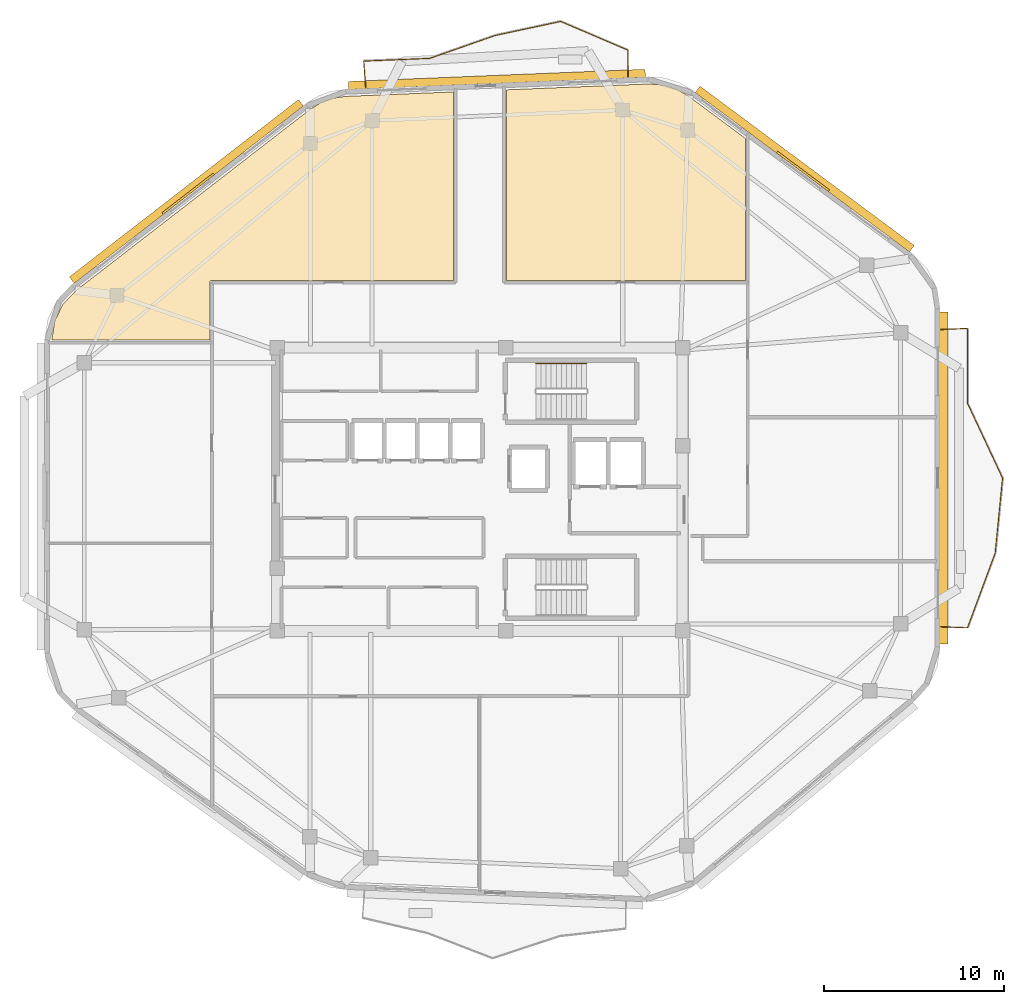
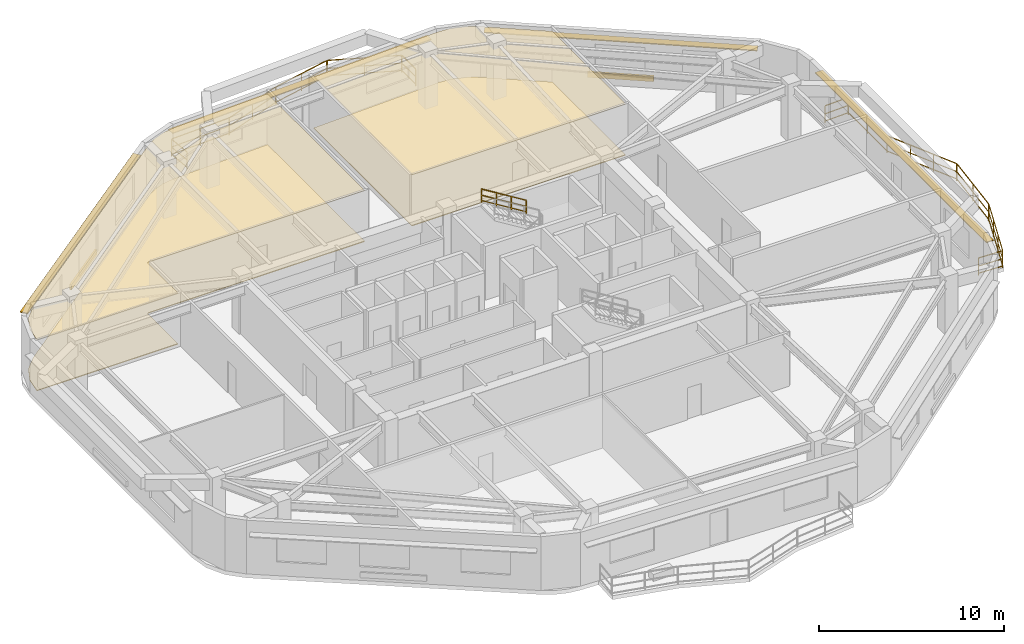
# One storey, part 8 of 8: 13 railings, 6 shading devices, 4 coverings.
"""IFC4 building model written with IfcOpenShell, lengths in metres."""

from ifc_helpers import new_model, si_unit, direction, frame, origin, origin_2d, place, context, subcontext, project, spatial, polyline, rectangle, outline, extrude, material, layer, layer_set, type_object, element, save


model = new_model("IFC4")

# Units and contexts
model_context = context("Model", 3, precision=1e-05, world=origin(), true_north=direction((0.0, 1.0)))
body_context = subcontext(model_context, "Body", "Model", "MODEL_VIEW")
ifc_project = project(units=[si_unit("LENGTHUNIT", "METRE"), si_unit("AREAUNIT", "SQUARE_METRE"), si_unit("VOLUMEUNIT", "CUBIC_METRE"), si_unit("PLANEANGLEUNIT", "RADIAN"), si_unit("MASSUNIT", "GRAM", prefix="KILO")], contexts=[model_context])

# Site, building, storey
site_placement = place(None, origin())
site = spatial("IfcSite", under=ifc_project, at=site_placement, CompositionType="ELEMENT")
building_placement = place(site_placement, origin())
building = spatial("IfcBuilding", under=site, at=building_placement, Name="Zulverin Broadcast Headquarters", CompositionType="ELEMENT")
storey_placement = place(building_placement, frame((0.0, 0.0, 297.199951171875)))
storey = spatial("IfcBuildingStorey", under=building, at=storey_placement, Name="L76", CompositionType="ELEMENT", Elevation=297.199951171875)

# Coverings
ifc_material_1 = material(Name="Perforated pale-metal acoustic baffle ceiling", Category="aluminium")
ifc_layer_1 = layer(ifc_material_1, 0.0400390625, Name="Perforated pale-metal acoustic baffle ceiling", Category="aluminium")
ifc_layer_set_1 = layer_set([ifc_layer_1], Name="Perforated pale-metal acoustic baffle ceiling")
covering_type_1 = type_object("IfcCoveringType", Name="COV-CEIL-ACOU", PredefinedType="CEILING", material=ifc_layer_set_1)
covering_1_placement = place(storey_placement, frame((0.0, 0.0, 3.360107421875)))
element("IfcCovering", 1, at=covering_1_placement, inside=storey, type_object=covering_type_1, Name="L76 Acoustic Baffle Ceiling 01", PredefinedType="CEILING", context=body_context, shape_type="SweptSolid", body=[
    extrude(outline(polyline([(28.16796875, 46.7080078125), (27.555908203125, 46.327880859375), (14.5439453125, 36.256103515625), (13.81201171875, 35.488037109375), (13.360107421875, 34.56396484375), (13.199951171875, 33.52001953125), (13.199951171875, 33.5), (21.97998046875, 33.5), (21.97998046875, 36.699951171875), (21.97998046875, 36.7119140625), (21.98388671875, 36.72412109375), (21.98388671875, 36.736083984375), (21.988037109375, 36.743896484375), (21.99609375, 36.756103515625), (22.0, 36.76806640625), (22.008056640625, 36.77587890625), (22.01611328125, 36.783935546875), (22.02392578125, 36.7919921875), (22.031982421875, 36.800048828125), (22.0439453125, 36.803955078125), (22.055908203125, 36.81201171875), (22.06396484375, 36.81591796875), (22.075927734375, 36.81591796875), (22.087890625, 36.820068359375), (22.10009765625, 36.820068359375), (35.531982421875, 36.820068359375), (35.531982421875, 47.300048828125), (29.535888671875, 47.052001953125), (28.823974609375, 46.947998046875), (28.16796875, 46.7080078125)])), origin(), (0.0, 0.0, 1.0), 0.0400390625),
])
covering_2_placement = place(storey_placement, frame((0.0, 0.0, 3.360107421875)))
element("IfcCovering", 2, at=covering_2_placement, inside=storey, type_object=covering_type_1, Name="L76 Acoustic Baffle Ceiling 02", PredefinedType="CEILING", context=body_context, shape_type="SweptSolid", body=[
    extrude(outline(polyline([(47.927978515625, 47.4599609375), (47.18798828125, 47.68408203125), (46.404052734375, 47.743896484375), (38.471923828125, 47.416015625), (38.471923828125, 36.820068359375), (51.780029296875, 36.820068359375), (51.780029296875, 44.7080078125), (48.60791015625, 47.06396484375), (47.927978515625, 47.4599609375)])), origin(), (0.0, 0.0, 1.0), 0.0400390625),
])
ifc_material_2 = material(Name="Anti-static broadcast raised access flooring", Category="stone")
ifc_layer_2 = layer(ifc_material_2, 0.050048828125, Name="Anti-static broadcast raised access flooring", Category="stone")
ifc_layer_set_2 = layer_set([ifc_layer_2], Name="Anti-static broadcast raised access flooring")
covering_type_2 = type_object("IfcCoveringType", Name="COV-FLR-RAISED", PredefinedType="FLOORING", material=ifc_layer_set_2)
covering_3_placement = place(storey_placement, origin())
element("IfcCovering", 3, at=covering_3_placement, inside=storey, type_object=covering_type_2, Name="L76 Broadcast Raised Access Flooring 01", PredefinedType="FLOORING", context=body_context, shape_type="SweptSolid", body=[
    extrude(outline(polyline([(28.16796875, 46.7080078125), (27.555908203125, 46.327880859375), (14.5439453125, 36.256103515625), (13.81201171875, 35.488037109375), (13.360107421875, 34.56396484375), (13.199951171875, 33.52001953125), (13.199951171875, 33.5), (21.97998046875, 33.5), (21.97998046875, 36.699951171875), (21.97998046875, 36.7119140625), (21.98388671875, 36.72412109375), (21.98388671875, 36.736083984375), (21.988037109375, 36.743896484375), (21.99609375, 36.756103515625), (22.0, 36.76806640625), (22.008056640625, 36.77587890625), (22.01611328125, 36.783935546875), (22.02392578125, 36.7919921875), (22.031982421875, 36.800048828125), (22.0439453125, 36.803955078125), (22.055908203125, 36.81201171875), (22.06396484375, 36.81591796875), (22.075927734375, 36.81591796875), (22.087890625, 36.820068359375), (22.10009765625, 36.820068359375), (35.531982421875, 36.820068359375), (35.531982421875, 47.300048828125), (29.535888671875, 47.052001953125), (28.823974609375, 46.947998046875), (28.16796875, 46.7080078125)])), origin(), (0.0, 0.0, 1.0), 0.050048828125),
])
covering_4_placement = place(storey_placement, origin())
element("IfcCovering", 4, at=covering_4_placement, inside=storey, type_object=covering_type_2, Name="L76 Broadcast Raised Access Flooring 02", PredefinedType="FLOORING", context=body_context, shape_type="SweptSolid", body=[
    extrude(outline(polyline([(47.927978515625, 47.4599609375), (47.18798828125, 47.68408203125), (46.404052734375, 47.743896484375), (38.471923828125, 47.416015625), (38.471923828125, 36.820068359375), (51.780029296875, 36.820068359375), (51.780029296875, 44.7080078125), (48.60791015625, 47.06396484375), (47.927978515625, 47.4599609375)])), origin(), (0.0, 0.0, 1.0), 0.050048828125),
])

# Railings
ifc_material_3 = material(Name="Brushed stainless steel & laminated glass balustrade", Category="steel")
railing_type_1 = type_object("IfcRailingType", Name="RL-GUARD-1150", PredefinedType="GUARDRAIL", material=ifc_material_3)
railing_1_placement = place(storey_placement, frame((62.639892578125, 17.555419921875, 0.0)))
element("IfcRailing", 5, at=railing_1_placement, inside=storey, type_object=railing_type_1, Name="L76 Vertical-Forest Balcony Guardrail BAL_E Segment 01", PredefinedType="GUARDRAIL", context=body_context, shape_type="SweptSolid", body=[
    extrude(rectangle(XDim=0.048095703125, YDim=0.048095703125, at=origin_2d()), frame((0.0, 0.0, 1.1259765625), z_axis=(0.999181155166, -0.040460093435, 0.0), x_axis=(0.040460093435, 0.999181155166, 0.0)), (0.0, 0.0, 1.0), 1.46630859375),
    extrude(rectangle(XDim=0.0419921875, YDim=0.0419921875, at=origin_2d()), frame((0.0, 0.0, 0.597900390625), z_axis=(0.999181155166, -0.040460093435, 0.0), x_axis=(0.040460093435, 0.999181155166, 0.0)), (0.0, 0.0, 1.0), 1.46630859375),
    extrude(rectangle(XDim=0.0419921875, YDim=0.0419921875, at=origin_2d()), frame((0.0, 0.0, 0.1201171875), z_axis=(0.999181155166, -0.040460093435, 0.0), x_axis=(0.040460093435, 0.999181155166, 0.0)), (0.0, 0.0, 1.0), 1.46630859375),
    extrude(rectangle(XDim=0.0419921875, YDim=0.0419921875, at=origin_2d()), origin(), (0.0, 0.0, 1.0), 1.101806640625),
    extrude(rectangle(XDim=0.0419921875, YDim=0.0419921875, at=origin_2d()), frame((1.465087890625, -0.059326171875, 0.0)), (0.0, 0.0, 1.0), 1.101806640625),
])
railing_2_placement = place(storey_placement, frame((64.125244140625, 17.509521484375, 0.0)))
element("IfcRailing", 6, at=railing_2_placement, inside=storey, type_object=railing_type_1, Name="L76 Vertical-Forest Balcony Guardrail BAL_E Segment 02", PredefinedType="GUARDRAIL", context=body_context, shape_type="SweptSolid", body=[
    extrude(rectangle(XDim=0.048095703125, YDim=0.048095703125, at=origin_2d()), frame((0.0, 0.0, 1.1259765625), z_axis=(0.347134031484, 0.937815527801, 0.0), x_axis=(-0.937815527801, 0.347134031484, 0.0)), (0.0, 0.0, 1.0), 4.40966796875),
    extrude(rectangle(XDim=0.0419921875, YDim=0.0419921875, at=origin_2d()), frame((0.0, 0.0, 0.597900390625), z_axis=(0.347134031484, 0.937815527801, 0.0), x_axis=(-0.937815527801, 0.347134031484, 0.0)), (0.0, 0.0, 1.0), 4.40966796875),
    extrude(rectangle(XDim=0.0419921875, YDim=0.0419921875, at=origin_2d()), frame((0.0, 0.0, 0.1201171875), z_axis=(0.347134031484, 0.937815527801, 0.0), x_axis=(-0.937815527801, 0.347134031484, 0.0)), (0.0, 0.0, 1.0), 4.40966796875),
    extrude(rectangle(XDim=0.0419921875, YDim=0.0419921875, at=origin_2d()), origin(), (0.0, 0.0, 1.0), 1.101806640625),
    extrude(rectangle(XDim=0.0419921875, YDim=0.0419921875, at=origin_2d()), frame((0.51025390625, 1.37841796875, 0.0)), (0.0, 0.0, 1.0), 1.101806640625),
    extrude(rectangle(XDim=0.0419921875, YDim=0.0419921875, at=origin_2d()), frame((1.0205078125, 2.757080078125, 0.0)), (0.0, 0.0, 1.0), 1.101806640625),
    extrude(rectangle(XDim=0.0419921875, YDim=0.0419921875, at=origin_2d()), frame((1.53076171875, 4.135498046875, 0.0)), (0.0, 0.0, 1.0), 1.101806640625),
])
railing_3_placement = place(storey_placement, frame((65.66259765625, 21.674072265625, 0.0)))
element("IfcRailing", 7, at=railing_3_placement, inside=storey, type_object=railing_type_1, Name="L76 Vertical-Forest Balcony Guardrail BAL_E Segment 03", PredefinedType="GUARDRAIL", context=body_context, shape_type="SweptSolid", body=[
    extrude(rectangle(XDim=0.048095703125, YDim=0.048095703125, at=origin_2d()), frame((0.0, 0.0, 1.1259765625), z_axis=(0.097746074689, 0.995211387034, 0.0), x_axis=(-0.995211387034, 0.097746074689, 0.0)), (0.0, 0.0, 1.0), 4.153564453125),
    extrude(rectangle(XDim=0.0419921875, YDim=0.0419921875, at=origin_2d()), frame((0.0, 0.0, 0.597900390625), z_axis=(0.097746074689, 0.995211387034, 0.0), x_axis=(-0.995211387034, 0.097746074689, 0.0)), (0.0, 0.0, 1.0), 4.153564453125),
    extrude(rectangle(XDim=0.0419921875, YDim=0.0419921875, at=origin_2d()), frame((0.0, 0.0, 0.1201171875), z_axis=(0.097746074689, 0.995211387034, 0.0), x_axis=(-0.995211387034, 0.097746074689, 0.0)), (0.0, 0.0, 1.0), 4.153564453125),
    extrude(rectangle(XDim=0.0419921875, YDim=0.0419921875, at=origin_2d()), origin(), (0.0, 0.0, 1.0), 1.101806640625),
    extrude(rectangle(XDim=0.0419921875, YDim=0.0419921875, at=origin_2d()), frame((0.203125, 2.06689453125, 0.0)), (0.0, 0.0, 1.0), 1.101806640625),
    extrude(rectangle(XDim=0.0419921875, YDim=0.0419921875, at=origin_2d()), frame((0.406005859375, 4.1337890625, 0.0)), (0.0, 0.0, 1.0), 1.101806640625),
])
railing_4_placement = place(storey_placement, frame((66.063720703125, 25.83642578125, 0.0)))
element("IfcRailing", 8, at=railing_4_placement, inside=storey, type_object=railing_type_1, Name="L76 Vertical-Forest Balcony Guardrail BAL_E Segment 04", PredefinedType="GUARDRAIL", context=body_context, shape_type="SweptSolid", body=[
    extrude(rectangle(XDim=0.048095703125, YDim=0.048095703125, at=origin_2d()), frame((0.0, 0.0, 1.1259765625), z_axis=(-0.424125733174, 0.905603314073, 0.0), x_axis=(-0.905603314073, -0.424125733174, 0.0)), (0.0, 0.0, 1.0), 4.567626953125),
    extrude(rectangle(XDim=0.0419921875, YDim=0.0419921875, at=origin_2d()), frame((0.0, 0.0, 0.597900390625), z_axis=(-0.424125733174, 0.905603314073, 0.0), x_axis=(-0.905603314073, -0.424125733174, 0.0)), (0.0, 0.0, 1.0), 4.567626953125),
    extrude(rectangle(XDim=0.0419921875, YDim=0.0419921875, at=origin_2d()), frame((0.0, 0.0, 0.1201171875), z_axis=(-0.424125733174, 0.905603314073, 0.0), x_axis=(-0.905603314073, -0.424125733174, 0.0)), (0.0, 0.0, 1.0), 4.567626953125),
    extrude(rectangle(XDim=0.0419921875, YDim=0.0419921875, at=origin_2d()), origin(), (0.0, 0.0, 1.0), 1.101806640625),
    extrude(rectangle(XDim=0.0419921875, YDim=0.0419921875, at=origin_2d()), frame((-0.645751953125, 1.37890625, 0.0)), (0.0, 0.0, 1.0), 1.101806640625),
    extrude(rectangle(XDim=0.0419921875, YDim=0.0419921875, at=origin_2d()), frame((-1.29150390625, 2.757568359375, 0.0)), (0.0, 0.0, 1.0), 1.101806640625),
    extrude(rectangle(XDim=0.0419921875, YDim=0.0419921875, at=origin_2d()), frame((-1.937255859375, 4.136474609375, 0.0)), (0.0, 0.0, 1.0), 1.101806640625),
])
railing_5_placement = place(storey_placement, frame((64.1201171875, 30.00146484375, 0.0)))
element("IfcRailing", 9, at=railing_5_placement, inside=storey, type_object=railing_type_1, Name="L76 Vertical-Forest Balcony Guardrail BAL_E Segment 05", PredefinedType="GUARDRAIL", context=body_context, shape_type="SweptSolid", body=[
    extrude(rectangle(XDim=0.048095703125, YDim=0.048095703125, at=origin_2d()), frame((0.0, 0.0, 1.1259765625), z_axis=(0.0, 1.0, 0.0), x_axis=(-1.0, 0.0, 0.0)), (0.0, 0.0, 1.0), 4.133544921875),
    extrude(rectangle(XDim=0.0419921875, YDim=0.0419921875, at=origin_2d()), frame((0.0, 0.0, 0.597900390625), z_axis=(0.0, 1.0, 0.0), x_axis=(-1.0, 0.0, 0.0)), (0.0, 0.0, 1.0), 4.133544921875),
    extrude(rectangle(XDim=0.0419921875, YDim=0.0419921875, at=origin_2d()), frame((0.0, 0.0, 0.1201171875), z_axis=(0.0, 1.0, 0.0), x_axis=(-1.0, 0.0, 0.0)), (0.0, 0.0, 1.0), 4.133544921875),
    extrude(rectangle(XDim=0.0419921875, YDim=0.0419921875, at=origin_2d()), origin(), (0.0, 0.0, 1.0), 1.101806640625),
    extrude(rectangle(XDim=0.0419921875, YDim=0.0419921875, at=origin_2d()), frame((0.0, 2.06689453125, 0.0)), (0.0, 0.0, 1.0), 1.101806640625),
    extrude(rectangle(XDim=0.0419921875, YDim=0.0419921875, at=origin_2d()), frame((0.0, 4.133544921875, 0.0)), (0.0, 0.0, 1.0), 1.101806640625),
])
railing_6_placement = place(storey_placement, frame((64.10498046875, 34.1494140625, 0.0)))
element("IfcRailing", 10, at=railing_6_placement, inside=storey, type_object=railing_type_1, Name="L76 Vertical-Forest Balcony Guardrail BAL_E Segment 06", PredefinedType="GUARDRAIL", context=body_context, shape_type="SweptSolid", body=[
    extrude(rectangle(XDim=0.048095703125, YDim=0.048095703125, at=origin_2d()), frame((0.0, 0.0, 1.1259765625), z_axis=(-0.999181155166, -0.040460093435, 0.0), x_axis=(0.040460093435, -0.999181155166, 0.0)), (0.0, 0.0, 1.0), 1.46630859375),
    extrude(rectangle(XDim=0.0419921875, YDim=0.0419921875, at=origin_2d()), frame((0.0, 0.0, 0.597900390625), z_axis=(-0.999181155166, -0.040460093435, 0.0), x_axis=(0.040460093435, -0.999181155166, 0.0)), (0.0, 0.0, 1.0), 1.46630859375),
    extrude(rectangle(XDim=0.0419921875, YDim=0.0419921875, at=origin_2d()), frame((0.0, 0.0, 0.1201171875), z_axis=(-0.999181155166, -0.040460093435, 0.0), x_axis=(0.040460093435, -0.999181155166, 0.0)), (0.0, 0.0, 1.0), 1.46630859375),
    extrude(rectangle(XDim=0.0419921875, YDim=0.0419921875, at=origin_2d()), origin(), (0.0, 0.0, 1.0), 1.101806640625),
    extrude(rectangle(XDim=0.0419921875, YDim=0.0419921875, at=origin_2d()), frame((-1.465087890625, -0.059326171875, 0.0)), (0.0, 0.0, 1.0), 1.101806640625),
])
railing_7_placement = place(storey_placement, frame((45.247314453125, 48.13720703125, 0.0)))
element("IfcRailing", 11, at=railing_7_placement, inside=storey, type_object=railing_type_1, Name="L76 Vertical-Forest Balcony Guardrail BAL_N Segment 01", PredefinedType="GUARDRAIL", context=body_context, shape_type="SweptSolid", body=[
    extrude(rectangle(XDim=0.048095703125, YDim=0.048095703125, at=origin_2d()), frame((0.0, 0.0, 1.1259765625), z_axis=(-0.000499500437, 0.99999987525, 0.0), x_axis=(-0.99999987525, -0.000499500437, 0.0)), (0.0, 0.0, 1.0), 1.46630859375),
    extrude(rectangle(XDim=0.0419921875, YDim=0.0419921875, at=origin_2d()), frame((0.0, 0.0, 0.597900390625), z_axis=(-0.000499500437, 0.99999987525, 0.0), x_axis=(-0.99999987525, -0.000499500437, 0.0)), (0.0, 0.0, 1.0), 1.46630859375),
    extrude(rectangle(XDim=0.0419921875, YDim=0.0419921875, at=origin_2d()), frame((0.0, 0.0, 0.1201171875), z_axis=(-0.000499500437, 0.99999987525, 0.0), x_axis=(-0.99999987525, -0.000499500437, 0.0)), (0.0, 0.0, 1.0), 1.46630859375),
    extrude(rectangle(XDim=0.0419921875, YDim=0.0419921875, at=origin_2d()), origin(), (0.0, 0.0, 1.0), 1.101806640625),
    extrude(rectangle(XDim=0.0419921875, YDim=0.0419921875, at=origin_2d()), frame((-0.000732421875, 1.46630859375, 0.0)), (0.0, 0.0, 1.0), 1.101806640625),
])
railing_8_placement = place(storey_placement, frame((45.232666015625, 49.624267578125, 0.0)))
element("IfcRailing", 12, at=railing_8_placement, inside=storey, type_object=railing_type_1, Name="L76 Vertical-Forest Balcony Guardrail BAL_N Segment 02", PredefinedType="GUARDRAIL", context=body_context, shape_type="SweptSolid", body=[
    extrude(rectangle(XDim=0.048095703125, YDim=0.048095703125, at=origin_2d()), frame((0.0, 0.0, 1.1259765625), z_axis=(-0.919646607003, 0.392746888246, 0.0), x_axis=(-0.392746888246, -0.919646607003, 0.0)), (0.0, 0.0, 1.0), 4.04736328125),
    extrude(rectangle(XDim=0.0419921875, YDim=0.0419921875, at=origin_2d()), frame((0.0, 0.0, 0.597900390625), z_axis=(-0.919646607003, 0.392746888246, 0.0), x_axis=(-0.392746888246, -0.919646607003, 0.0)), (0.0, 0.0, 1.0), 4.04736328125),
    extrude(rectangle(XDim=0.0419921875, YDim=0.0419921875, at=origin_2d()), frame((0.0, 0.0, 0.1201171875), z_axis=(-0.919646607003, 0.392746888246, 0.0), x_axis=(-0.392746888246, -0.919646607003, 0.0)), (0.0, 0.0, 1.0), 4.04736328125),
    extrude(rectangle(XDim=0.0419921875, YDim=0.0419921875, at=origin_2d()), origin(), (0.0, 0.0, 1.0), 1.101806640625),
    extrude(rectangle(XDim=0.0419921875, YDim=0.0419921875, at=origin_2d()), frame((-1.861083984375, 0.794921875, 0.0)), (0.0, 0.0, 1.0), 1.101806640625),
    extrude(rectangle(XDim=0.0419921875, YDim=0.0419921875, at=origin_2d()), frame((-3.72216796875, 1.589599609375, 0.0)), (0.0, 0.0, 1.0), 1.101806640625),
])
railing_9_placement = place(storey_placement, frame((41.482177734375, 51.216552734375, 0.0)))
element("IfcRailing", 13, at=railing_9_placement, inside=storey, type_object=railing_type_1, Name="L76 Vertical-Forest Balcony Guardrail BAL_N Segment 03", PredefinedType="GUARDRAIL", context=body_context, shape_type="SweptSolid", body=[
    extrude(rectangle(XDim=0.048095703125, YDim=0.048095703125, at=origin_2d()), frame((0.0, 0.0, 1.1259765625), z_axis=(-0.977793733412, -0.209569594409, 0.0), x_axis=(0.209569594409, -0.977793733412, 0.0)), (0.0, 0.0, 1.0), 3.70458984375),
    extrude(rectangle(XDim=0.0419921875, YDim=0.0419921875, at=origin_2d()), frame((0.0, 0.0, 0.597900390625), z_axis=(-0.977793733412, -0.209569594409, 0.0), x_axis=(0.209569594409, -0.977793733412, 0.0)), (0.0, 0.0, 1.0), 3.70458984375),
    extrude(rectangle(XDim=0.0419921875, YDim=0.0419921875, at=origin_2d()), frame((0.0, 0.0, 0.1201171875), z_axis=(-0.977793733412, -0.209569594409, 0.0), x_axis=(0.209569594409, -0.977793733412, 0.0)), (0.0, 0.0, 1.0), 3.70458984375),
    extrude(rectangle(XDim=0.0419921875, YDim=0.0419921875, at=origin_2d()), origin(), (0.0, 0.0, 1.0), 1.101806640625),
    extrude(rectangle(XDim=0.0419921875, YDim=0.0419921875, at=origin_2d()), frame((-1.81103515625, -0.38818359375, 0.0)), (0.0, 0.0, 1.0), 1.101806640625),
    extrude(rectangle(XDim=0.0419921875, YDim=0.0419921875, at=origin_2d()), frame((-3.622314453125, -0.7763671875, 0.0)), (0.0, 0.0, 1.0), 1.101806640625),
])
railing_10_placement = place(storey_placement, frame((37.830810546875, 50.43212890625, 0.0)))
element("IfcRailing", 14, at=railing_10_placement, inside=storey, type_object=railing_type_1, Name="L76 Vertical-Forest Balcony Guardrail BAL_N Segment 04", PredefinedType="GUARDRAIL", context=body_context, shape_type="SweptSolid", body=[
    extrude(rectangle(XDim=0.048095703125, YDim=0.048095703125, at=origin_2d()), frame((0.0, 0.0, 1.1259765625), z_axis=(-0.943764601957, -0.33061817266, 0.0), x_axis=(0.33061817266, -0.943764601957, 0.0)), (0.0, 0.0, 1.0), 3.817626953125),
    extrude(rectangle(XDim=0.0419921875, YDim=0.0419921875, at=origin_2d()), frame((0.0, 0.0, 0.597900390625), z_axis=(-0.943764601957, -0.33061817266, 0.0), x_axis=(0.33061817266, -0.943764601957, 0.0)), (0.0, 0.0, 1.0), 3.817626953125),
    extrude(rectangle(XDim=0.0419921875, YDim=0.0419921875, at=origin_2d()), frame((0.0, 0.0, 0.1201171875), z_axis=(-0.943764601957, -0.33061817266, 0.0), x_axis=(0.33061817266, -0.943764601957, 0.0)), (0.0, 0.0, 1.0), 3.817626953125),
    extrude(rectangle(XDim=0.0419921875, YDim=0.0419921875, at=origin_2d()), origin(), (0.0, 0.0, 1.0), 1.101806640625),
    extrude(rectangle(XDim=0.0419921875, YDim=0.0419921875, at=origin_2d()), frame((-1.801513671875, -0.631103515625, 0.0)), (0.0, 0.0, 1.0), 1.101806640625),
    extrude(rectangle(XDim=0.0419921875, YDim=0.0419921875, at=origin_2d()), frame((-3.60302734375, -1.26220703125, 0.0)), (0.0, 0.0, 1.0), 1.101806640625),
])
railing_11_placement = place(storey_placement, frame((34.198486328125, 49.164306640625, 0.0)))
element("IfcRailing", 15, at=railing_11_placement, inside=storey, type_object=railing_type_1, Name="L76 Vertical-Forest Balcony Guardrail BAL_N Segment 05", PredefinedType="GUARDRAIL", context=body_context, shape_type="SweptSolid", body=[
    extrude(rectangle(XDim=0.048095703125, YDim=0.048095703125, at=origin_2d()), frame((0.0, 0.0, 1.1259765625), z_axis=(-0.999156669584, -0.041060316922, 0.0), x_axis=(0.041060316922, -0.999156669584, 0.0)), (0.0, 0.0, 1.0), 3.65087890625),
    extrude(rectangle(XDim=0.0419921875, YDim=0.0419921875, at=origin_2d()), frame((0.0, 0.0, 0.597900390625), z_axis=(-0.999156669584, -0.041060316922, 0.0), x_axis=(0.041060316922, -0.999156669584, 0.0)), (0.0, 0.0, 1.0), 3.65087890625),
    extrude(rectangle(XDim=0.0419921875, YDim=0.0419921875, at=origin_2d()), frame((0.0, 0.0, 0.1201171875), z_axis=(-0.999156669584, -0.041060316922, 0.0), x_axis=(0.041060316922, -0.999156669584, 0.0)), (0.0, 0.0, 1.0), 3.65087890625),
    extrude(rectangle(XDim=0.0419921875, YDim=0.0419921875, at=origin_2d()), origin(), (0.0, 0.0, 1.0), 1.101806640625),
    extrude(rectangle(XDim=0.0419921875, YDim=0.0419921875, at=origin_2d()), frame((-1.82373046875, -0.074951171875, 0.0)), (0.0, 0.0, 1.0), 1.101806640625),
    extrude(rectangle(XDim=0.0419921875, YDim=0.0419921875, at=origin_2d()), frame((-3.647705078125, -0.14990234375, 0.0)), (0.0, 0.0, 1.0), 1.101806640625),
])
railing_12_placement = place(storey_placement, frame((30.537109375, 48.998779296875, 0.0)))
element("IfcRailing", 16, at=railing_12_placement, inside=storey, type_object=railing_type_1, Name="L76 Vertical-Forest Balcony Guardrail BAL_N Segment 06", PredefinedType="GUARDRAIL", context=body_context, shape_type="SweptSolid", body=[
    extrude(rectangle(XDim=0.048095703125, YDim=0.048095703125, at=origin_2d()), frame((0.0, 0.0, 1.1259765625), z_axis=(0.081419392862, -0.9966799298, 0.0), x_axis=(0.9966799298, 0.081419392862, 0.0)), (0.0, 0.0, 1.0), 1.46630859375),
    extrude(rectangle(XDim=0.0419921875, YDim=0.0419921875, at=origin_2d()), frame((0.0, 0.0, 0.597900390625), z_axis=(0.081419392862, -0.9966799298, 0.0), x_axis=(0.9966799298, 0.081419392862, 0.0)), (0.0, 0.0, 1.0), 1.46630859375),
    extrude(rectangle(XDim=0.0419921875, YDim=0.0419921875, at=origin_2d()), frame((0.0, 0.0, 0.1201171875), z_axis=(0.081419392862, -0.9966799298, 0.0), x_axis=(0.9966799298, 0.081419392862, 0.0)), (0.0, 0.0, 1.0), 1.46630859375),
    extrude(rectangle(XDim=0.0419921875, YDim=0.0419921875, at=origin_2d()), origin(), (0.0, 0.0, 1.0), 1.101806640625),
    extrude(rectangle(XDim=0.0419921875, YDim=0.0419921875, at=origin_2d()), frame((0.119384765625, -1.46142578125, 0.0)), (0.0, 0.0, 1.0), 1.101806640625),
])
ifc_material_4 = material(Name="Brushed stainless steel 48 mm handrail", Category="steel")
railing_type_2 = type_object("IfcRailingType", Name="RL-ST-HAND", PredefinedType="HANDRAIL", material=ifc_material_4)
railing_13_placement = place(storey_placement, frame((42.929931640625, 32.199951171875, 2.07275390625)))
element("IfcRailing", 17, at=railing_13_placement, inside=storey, type_object=railing_type_2, Name="L76 ST-1 stair handrail 2", PredefinedType="HANDRAIL", context=body_context, shape_type="SweptSolid", body=[
    extrude(rectangle(XDim=0.048095703125, YDim=0.048095703125, at=origin_2d()), frame((0.0, 0.0, 0.8759765625), z_axis=(-0.851089632645, 0.0, 0.525020415988), x_axis=(0.0, -1.0, 0.0)), (0.0, 0.0, 1.0), 3.2900390625),
    extrude(rectangle(XDim=0.0419921875, YDim=0.0419921875, at=origin_2d()), frame((0.0, 0.0, 0.468017578125), z_axis=(-0.851089632645, 0.0, 0.525020415988), x_axis=(0.0, -1.0, 0.0)), (0.0, 0.0, 1.0), 3.2900390625),
    extrude(rectangle(XDim=0.0419921875, YDim=0.0419921875, at=origin_2d()), frame((0.0, 0.0, 0.1201171875), z_axis=(-0.851089632645, 0.0, 0.525020415988), x_axis=(0.0, -1.0, 0.0)), (0.0, 0.0, 1.0), 3.2900390625),
    extrude(rectangle(XDim=0.0419921875, YDim=0.0419921875, at=origin_2d()), origin(), (0.0, 0.0, 1.0), 0.851806640625),
    extrude(rectangle(XDim=0.0419921875, YDim=0.0419921875, at=origin_2d()), frame((-0.933349609375, 0.0, 0.57568359375)), (0.0, 0.0, 1.0), 0.851806640625),
    extrude(rectangle(XDim=0.0419921875, YDim=0.0419921875, at=origin_2d()), frame((-1.86669921875, 0.0, 1.151611328125)), (0.0, 0.0, 1.0), 0.851806640625),
    extrude(rectangle(XDim=0.0419921875, YDim=0.0419921875, at=origin_2d()), frame((-2.800048828125, 0.0, 1.727294921875)), (0.0, 0.0, 1.0), 0.851806640625),
])

# Shading devices
ifc_material_5 = material(Name="Anodized pale-metal aluminium acoustic louvre", Category="aluminium")
shading_device_type_1 = type_object("IfcShadingDeviceType", Name="SHD-LOUVRE-350", PredefinedType="USERDEFINED", material=ifc_material_5)
for number, where, z_axis, x_axis, name in (
    (18, (54.973388671875, 42.880615234375, 0.2451171875), (0.0, 0.0, 1.0), (-0.802486437986, 0.596670358614, 0.0), "L76 Spandrel Intake Louvre 4"),
    (19, (20.77734375, 41.63720703125, 0.2451171875), (0.0, 0.0, 1.0), (-0.790792140634, -0.612084790132, 0.0), "L76 Spandrel Intake Louvre 6"),
):
    element("IfcShadingDevice", number, at=place(storey_placement, frame(where, z_axis=z_axis, x_axis=x_axis)), inside=storey, type_object=shading_device_type_1, Name=name, ObjectType="LOUVRE", PredefinedType="USERDEFINED", context=body_context, shape_type="SweptSolid", body=[
        extrude(rectangle(XDim=3.60009765625, YDim=0.1201171875, at=origin_2d()), origin(), (0.0, 0.0, 1.0), 0.35009765625),
    ])
ifc_material_6 = material(Name="Anodized pale-metal aluminium sunshade", Category="aluminium")
ifc_layer_3 = layer(ifc_material_6, 0.06005859375, Name="Anodized pale-metal aluminium sunshade", Category="aluminium")
ifc_layer_set_3 = layer_set([ifc_layer_3], Name="Anodized pale-metal aluminium sunshade")
shading_device_type_2 = type_object("IfcShadingDeviceType", Name="SS-01_PALE_METAL_ALUMINIUM_SUNSHADE", PredefinedType="USERDEFINED", material=ifc_layer_set_3)
shading_device_1_placement = place(storey_placement, frame((62.800048828125, 25.82275390625, 2.7099609375), z_axis=(0.0, 0.0, 1.0), x_axis=(0.0, 1.0, 0.0)))
element("IfcShadingDevice", 20, at=shading_device_1_placement, inside=storey, type_object=shading_device_type_2, Name="L76 Horizontal Pale-Metal Sunshade Band 3", ObjectType="SUNSHADE", PredefinedType="USERDEFINED", context=body_context, shape_type="SweptSolid", body=[
    extrude(rectangle(XDim=18.45458984375, YDim=0.449951171875, at=origin_2d()), origin(), (0.0, 0.0, 1.0), 0.06005859375),
])
shading_device_2_placement = place(storey_placement, frame((55.068603515625, 43.009033203125, 2.7099609375), z_axis=(0.0, 0.0, 1.0), x_axis=(-0.802486437986, 0.596670358614, 0.0)))
element("IfcShadingDevice", 21, at=shading_device_2_placement, inside=storey, type_object=shading_device_type_2, Name="L76 Horizontal Pale-Metal Sunshade Band 4", ObjectType="SUNSHADE", PredefinedType="USERDEFINED", context=body_context, shape_type="SweptSolid", body=[
    extrude(rectangle(XDim=14.84765625, YDim=0.449951171875, at=origin_2d()), origin(), (0.0, 0.0, 1.0), 0.06005859375),
])
shading_device_3_placement = place(storey_placement, frame((37.9453125, 47.9970703125, 2.7099609375), z_axis=(0.0, 0.0, 1.0), x_axis=(-0.999156343069, -0.041068261531, 0.0)))
element("IfcShadingDevice", 22, at=shading_device_3_placement, inside=storey, type_object=shading_device_type_2, Name="L76 Horizontal Pale-Metal Sunshade Band 5", ObjectType="SUNSHADE", PredefinedType="USERDEFINED", context=body_context, shape_type="SweptSolid", body=[
    extrude(rectangle(XDim=16.523193359375, YDim=0.449951171875, at=origin_2d()), origin(), (0.0, 0.0, 1.0), 0.06005859375),
])
shading_device_4_placement = place(storey_placement, frame((20.67919921875, 41.763671875, 2.7099609375), z_axis=(0.0, 0.0, 1.0), x_axis=(-0.790792140634, -0.612084790132, 0.0)))
element("IfcShadingDevice", 23, at=shading_device_4_placement, inside=storey, type_object=shading_device_type_2, Name="L76 Horizontal Pale-Metal Sunshade Band 6", ObjectType="SUNSHADE", PredefinedType="USERDEFINED", context=body_context, shape_type="SweptSolid", body=[
    extrude(rectangle(XDim=16.109130859375, YDim=0.449951171875, at=origin_2d()), origin(), (0.0, 0.0, 1.0), 0.06005859375),
])

save(model, "model.ifc")
